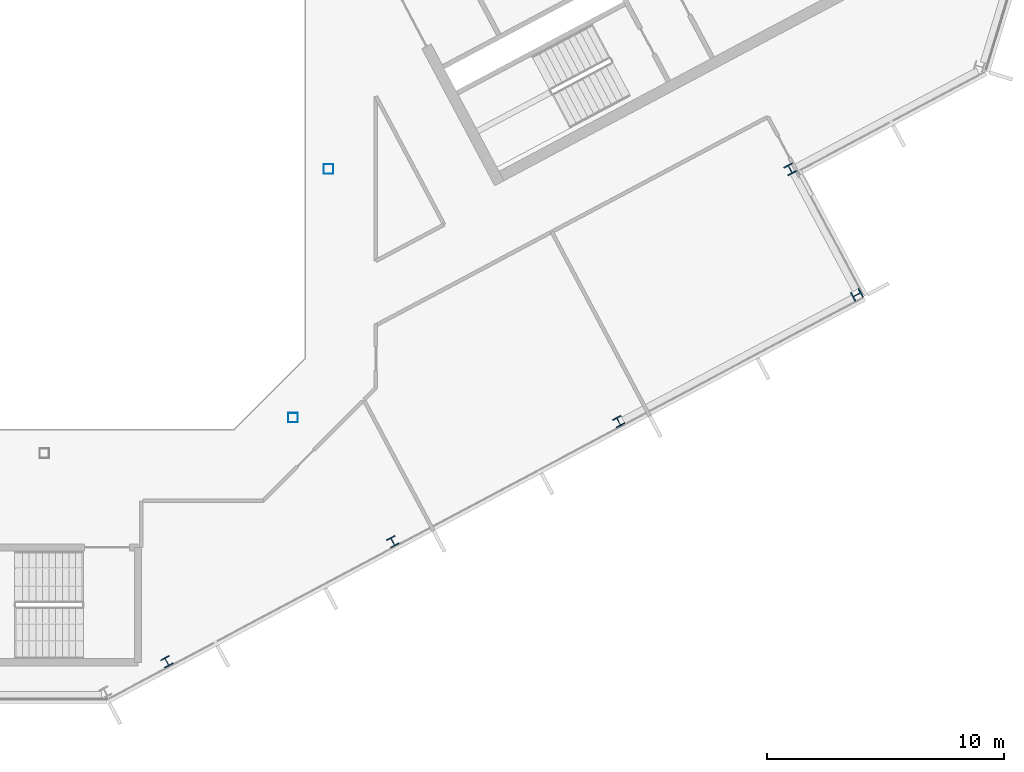
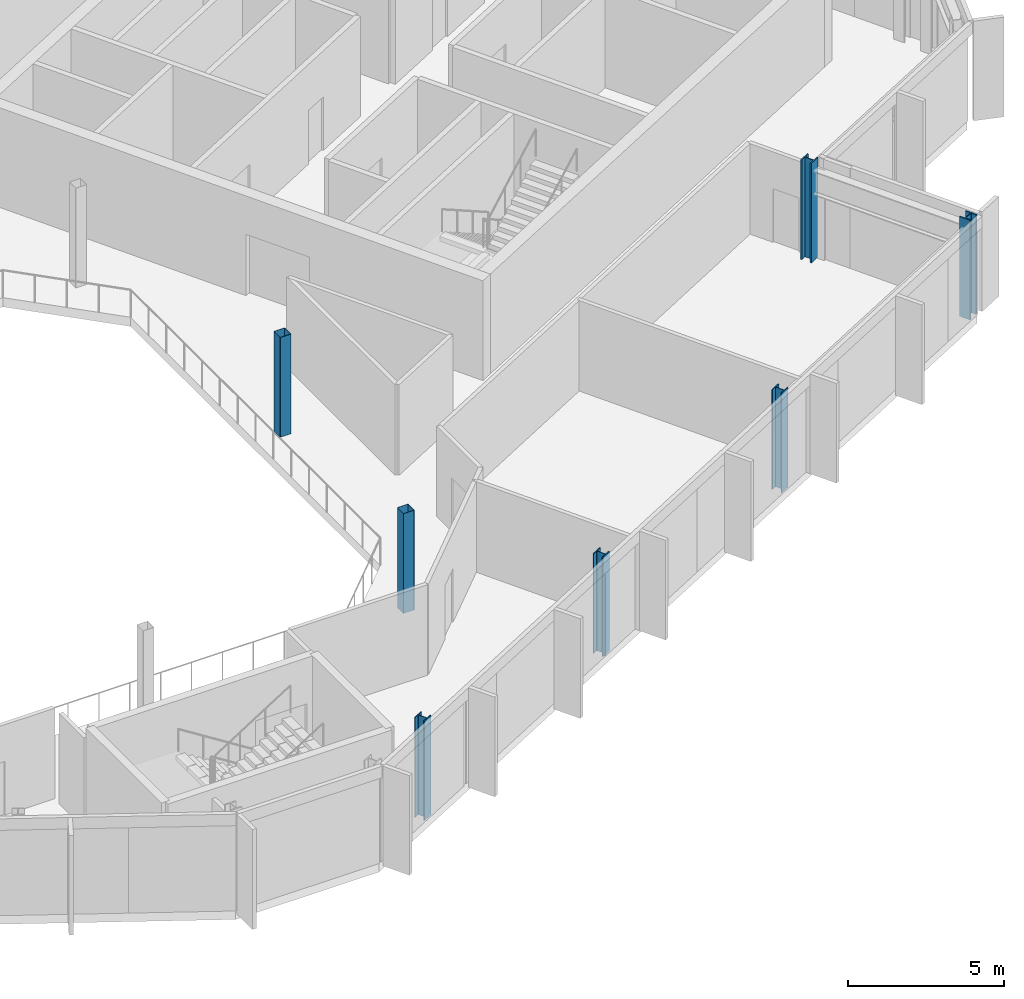
# One storey, part 5 of 26: 7 columns.
"""IFC4 building model written with IfcOpenShell, lengths in metres."""

import ifcopenshell
import ifcopenshell.guid

model = None  # the IFC model being written
_history = None  # IfcOwnerHistory: only IFC2X3 demands one
_inside = {}  # id of a spatial element -> (the spatial element, [elements in it])
_under = {}  # id of a project, library or spatial element -> (it, [spatial elements below it])
_declared = {}  # id of a project -> (the project, [libraries it declares])
_typed = {}  # id of a type object -> (the type object, [elements of that type])
_made_of = {}  # id of a material, layer set ... -> (it, [elements and type objects made of it])


def new_model(schema):
    """Start an empty IFC model of exactly this schema.

    Asked for "IFC4X3", IfcOpenShell would pick the latest addendum, in which some entities
    have other attributes; the version numbers below select the first issue.
    IFC2X3 requires an IfcOwnerHistory on every rooted entity: one is made here for all.
    """
    global model, _history
    if schema == "IFC4X3":
        model = ifcopenshell.file(schema_version=(4, 3, 0, 0))
    else:
        model = ifcopenshell.file(schema=schema)
    _inside.clear()
    _under.clear()
    _declared.clear()
    _typed.clear()
    _made_of.clear()
    _history = None
    if model.schema == "IFC2X3":
        org = make("IfcOrganization", Name="unknown")
        user = make(
            "IfcPersonAndOrganization",
            ThePerson=make("IfcPerson", FamilyName="unknown"),
            TheOrganization=org,
        )
        app = make(
            "IfcApplication",
            ApplicationDeveloper=org,
            Version="unknown",
            ApplicationFullName="unknown",
            ApplicationIdentifier="unknown",
        )
        _history = make(
            "IfcOwnerHistory",
            OwningUser=user,
            OwningApplication=app,
            ChangeAction="ADDED",
            CreationDate=0,
        )
    return model


def make(cls, **values):
    """One entity of the class cls with the attributes given. An attribute that is None is left unset."""
    return model.create_entity(
        cls, **{name: value for name, value in values.items() if value is not None}
    )


def rooted(cls, **values):
    """An entity with a GlobalId (a new one), such as an element, a storey or a relation."""
    return make(cls, GlobalId=ifcopenshell.guid.new(), OwnerHistory=_history, **values)


def si_unit(unit_type, name, prefix=None):
    """IfcSIUnit, for example si_unit("LENGTHUNIT", "METRE", prefix="MILLI")."""
    return make("IfcSIUnit", UnitType=unit_type, Prefix=prefix, Name=name)


def assignment(units):
    """IfcUnitAssignment: the units of a project."""
    return None if units is None else make("IfcUnitAssignment", Units=units)


def point(xyz):
    """IfcCartesianPoint."""
    return None if xyz is None else make("IfcCartesianPoint", Coordinates=xyz)


def direction(xyz):
    """IfcDirection."""
    return None if xyz is None else make("IfcDirection", DirectionRatios=xyz)


def frame(location, z_axis=None, x_axis=None):
    """IfcAxis2Placement3D, a coordinate frame: its origin and axes. An axis left out is left unset."""
    return make(
        "IfcAxis2Placement3D",
        Location=point(location),
        Axis=direction(z_axis),
        RefDirection=direction(x_axis),
    )


def frame_2d(location, x_axis=None):
    """IfcAxis2Placement2D, a coordinate frame in the plane: its origin and x axis."""
    return make(
        "IfcAxis2Placement2D", Location=point(location), RefDirection=direction(x_axis)
    )


def origin():
    """The frame at (0, 0, 0) with its axes left unset."""
    return frame((0.0, 0.0, 0.0))


def origin_2d():
    """The frame at (0, 0) in the plane with its x axis left unset."""
    return frame_2d((0.0, 0.0))


def place(relative_to, where):
    """IfcLocalPlacement: puts the frame where relative to a parent placement (None: the world)."""
    return make(
        "IfcLocalPlacement", PlacementRelTo=relative_to, RelativePlacement=where
    )


def context(
    kind, dimensions, precision=None, world=None, true_north=None, identifier=None
):
    """IfcGeometricRepresentationContext, for example the 3D "Model" context."""
    return make(
        "IfcGeometricRepresentationContext",
        ContextIdentifier=identifier,
        ContextType=kind,
        CoordinateSpaceDimension=dimensions,
        Precision=precision,
        WorldCoordinateSystem=world,
        TrueNorth=true_north,
    )


def subcontext(parent, identifier, kind, view, scale=None):
    """IfcGeometricRepresentationSubContext, for example "Body" below "Model"."""
    return make(
        "IfcGeometricRepresentationSubContext",
        ContextIdentifier=identifier,
        ContextType=kind,
        ParentContext=parent,
        TargetScale=scale,
        TargetView=view,
    )


def project(units=None, contexts=None):
    """IfcProject with its units and contexts."""
    return rooted(
        "IfcProject",
        Name="project",
        RepresentationContexts=contexts,
        UnitsInContext=assignment(units),
    )


def spatial(cls, under=None, at=None, **own):
    """A site, building, storey or space (cls), placed at a placement, below another one or the project."""
    s = rooted(cls, ObjectPlacement=at, **own)
    if under is not None:
        _under.setdefault(under.id(), (under, []))[1].append(s)
    return s


def profile(cls, at=None, kind="AREA", **sizes):
    """A parametric profile (cls). Its sizes go by their IFC names, for example OverallWidth=200.0."""
    return make(cls, ProfileType=kind, Position=at, **sizes)


def hollow_rectangle(**sizes):
    """IfcRectangleHollowProfileDef."""
    return profile("IfcRectangleHollowProfileDef", **sizes)


def i_section(**sizes):
    """IfcIShapeProfileDef."""
    return profile("IfcIShapeProfileDef", **sizes)


def extrude(swept, where, along, depth):
    """IfcExtrudedAreaSolid: the profile swept, set in the frame where, extruded along a direction by depth."""
    return make(
        "IfcExtrudedAreaSolid",
        SweptArea=swept,
        Position=where,
        ExtrudedDirection=direction(along),
        Depth=depth,
    )


def shape(context_of_items, identifier, shape_type, items):
    """IfcShapeRepresentation: the items that make up one representation, for example the "Body"."""
    return make(
        "IfcShapeRepresentation",
        ContextOfItems=context_of_items,
        RepresentationIdentifier=identifier,
        RepresentationType=shape_type,
        Items=items,
    )


def material(Name=None, Category=None):
    """IfcMaterial."""
    return make("IfcMaterial", Name=Name, Category=Category)


def material_profile(
    of_material, cross_section, Name=None, Category=None, Priority=None
):
    """IfcMaterialProfile: a cross section and its material."""
    return make(
        "IfcMaterialProfile",
        Name=Name,
        Material=of_material,
        Profile=cross_section,
        Priority=Priority,
        Category=Category,
    )


def profile_set(profiles, Name=None, composite=None):
    """IfcMaterialProfileSet."""
    return make(
        "IfcMaterialProfileSet",
        Name=Name,
        MaterialProfiles=profiles,
        CompositeProfile=composite,
    )


def made_of(thing, what):
    """Note that an element or type object is made of a material, layer set ...; save() writes the relation."""
    if what is not None:
        _made_of.setdefault(what.id(), (what, []))[1].append(thing)
    return thing


def type_object(cls, material=None, **own):
    """A type object (cls), such as IfcWallType, which elements share."""
    return made_of(rooted(cls, **own), material)


def element(
    cls,
    number,
    at=None,
    inside=None,
    cuts=None,
    type_object=None,
    material=None,
    context=None,
    identifier="Body",
    shape_type=None,
    held_by="IfcProductDefinitionShape",
    body=None,
    shapes=None,
    **own,
):
    """One element of the class cls, such as IfcWall. Its Tag is "e" and its number.

    at: its placement. inside: the storey or other place that contains it. cuts: it is an
    opening in that element (IfcRelVoidsElement). A single representation is given by context,
    identifier, shape_type and body (its items); several are given by shapes. held_by: the class
    of the entity that holds the representations. save() writes the other relations.
    """
    e = rooted(cls, Tag="e%d" % number, ObjectPlacement=at, **own)
    if body is not None:
        shapes = [shape(context, identifier, shape_type, body)]
    if shapes is not None:
        e.Representation = make(held_by, Representations=shapes)
    if inside is not None:
        _inside.setdefault(inside.id(), (inside, []))[1].append(e)
    if cuts is not None:
        rooted(
            "IfcRelVoidsElement", RelatingBuildingElement=cuts, RelatedOpeningElement=e
        )
    if type_object is not None:
        _typed.setdefault(type_object.id(), (type_object, []))[1].append(e)
    return made_of(e, material)


def aggregate(whole, parts):
    """IfcRelAggregates: a whole, such as a stair, and the parts it consists of."""
    return rooted("IfcRelAggregates", RelatingObject=whole, RelatedObjects=parts)


def save(model, path):
    """Write the relations noted so far, then the file.

    IfcRelAggregates (storeys below a building ...), IfcRelContainedInSpatialStructure (elements
    in a storey), IfcRelDefinesByType, IfcRelAssociatesMaterial and IfcRelDeclares: one each for
    every whole, place, type object, material and project.
    """
    for whole, parts in _under.values():
        aggregate(whole, parts)
    for where, things in _inside.values():
        rooted(
            "IfcRelContainedInSpatialStructure",
            RelatedElements=things,
            RelatingStructure=where,
        )
    for kind, things in _typed.values():
        rooted("IfcRelDefinesByType", RelatedObjects=things, RelatingType=kind)
    for what, things in _made_of.values():
        rooted("IfcRelAssociatesMaterial", RelatedObjects=things, RelatingMaterial=what)
    for by, libraries in _declared.values():
        rooted("IfcRelDeclares", RelatingContext=by, RelatedDefinitions=libraries)
    model.write(path)


model = new_model("IFC4")

# Units and contexts
model_context = context("Model", 3, precision=1e-05, world=origin(), true_north=direction((0.0, 1.0)))
body_context = subcontext(model_context, "Body", "Model", "MODEL_VIEW")
ifc_project = project(units=[si_unit("LENGTHUNIT", "METRE"), si_unit("AREAUNIT", "SQUARE_METRE"), si_unit("VOLUMEUNIT", "CUBIC_METRE"), si_unit("PLANEANGLEUNIT", "RADIAN"), si_unit("MASSUNIT", "GRAM", prefix="KILO")], contexts=[model_context])

# Site, building, storey
site_placement = place(None, origin())
site = spatial("IfcSite", under=ifc_project, at=site_placement, CompositionType="ELEMENT")
building_placement = place(site_placement, origin())
building = spatial("IfcBuilding", under=site, at=building_placement, Name="Cormorant Relay Tower", CompositionType="ELEMENT")
storey_placement = place(building_placement, frame((0.0, 0.0, 261.89990234375)))
storey = spatial("IfcBuildingStorey", under=building, at=storey_placement, Name="L58", CompositionType="ELEMENT", Elevation=261.89990234375)

# Columns
ifc_material_1 = material(Name="Steel ASTM A500 Grade C (Fy 345 MPa)", Category="steel")
ifc_material_profile_1 = material_profile(ifc_material_1, hollow_rectangle(XDim=0.406494140625, YDim=0.406494140625, WallThickness=0.0087890625, InnerFilletRadius=0.00439453125, OuterFilletRadius=0.01318359375, at=origin_2d()), Name="HSS406x406x9")
ifc_profile_set_1 = profile_set([ifc_material_profile_1], Name="Steel ASTM A500 Grade C (Fy 345 MPa)")
column_type_1 = type_object("IfcColumnType", Name="Column HSS406x406x9", PredefinedType="COLUMN", material=ifc_profile_set_1)
for number, where, z_axis, x_axis, name in (
    (1, (10.5, -10.5, 0.0), (0.0, 0.0, 1.0), (1.0, 0.0, 0.0), "Column L58-010"),
    (2, (12.0, 0.0, 0.0), (0.0, 0.0, 1.0), (1.0, 0.0, 0.0), "Column L58-016"),
):
    element("IfcColumn", number, at=place(storey_placement, frame(where, z_axis=z_axis, x_axis=x_axis)), inside=storey, type_object=column_type_1, Name=name, PredefinedType="COLUMN", context=body_context, shape_type="SweptSolid", body=[
        extrude(hollow_rectangle(XDim=0.406494140625, YDim=0.406494140625, WallThickness=0.0087890625, InnerFilletRadius=0.00439453125, OuterFilletRadius=0.01318359375, at=origin_2d()), origin(), (0.0, 0.0, 1.0), 3.900146484375),
    ])
ifc_material_2 = material(Name="Steel ASTM A992 (Fy 345 MPa)", Category="steel")
ifc_material_profile_2 = material_profile(ifc_material_2, i_section(OverallWidth=0.398681640625, OverallDepth=0.385986328125, WebThickness=0.02099609375, FlangeThickness=0.033203125, FilletRadius=0.01513671875, at=origin_2d()), Name="W360x262")
ifc_profile_set_2 = profile_set([ifc_material_profile_2], Name="Steel ASTM A992 (Fy 345 MPa)")
column_type_2 = type_object("IfcColumnType", Name="Column W360x262", PredefinedType="COLUMN", material=ifc_profile_set_2)
for number, where, z_axis, x_axis, name in (
    (3, (5.174072265625, -20.806884765625, 0.0), (0.0, 0.0, 1.0), (0.882947592859, 0.469471562786, 0.0), "Column L58-003"),
    (4, (14.7099609375, -15.736083984375, 0.0), (0.0, 0.0, 1.0), (0.882947592859, 0.469471562786, 0.0), "Column L58-005"),
    (5, (24.2451171875, -10.666015625, 0.0), (0.0, 0.0, 1.0), (0.882947592859, 0.469471562786, 0.0), "Column L58-008"),
):
    element("IfcColumn", number, at=place(storey_placement, frame(where, z_axis=z_axis, x_axis=x_axis)), inside=storey, type_object=column_type_2, Name=name, PredefinedType="COLUMN", context=body_context, shape_type="SweptSolid", body=[
        extrude(i_section(OverallWidth=0.398681640625, OverallDepth=0.385986328125, WebThickness=0.02099609375, FlangeThickness=0.033203125, FilletRadius=0.01513671875, at=origin_2d()), origin(), (0.0, 0.0, 1.0), 3.900146484375),
    ])
ifc_material_3 = material(Name="Steel ASTM A992 (Fy 345 MPa)", Category="steel")
ifc_material_profile_3 = material_profile(ifc_material_3, i_section(OverallWidth=0.40380859375, OverallDepth=0.406494140625, WebThickness=0.027099609375, FlangeThickness=0.043701171875, FilletRadius=0.01513671875, at=origin_2d()), Name="W360x347")
ifc_profile_set_3 = profile_set([ifc_material_profile_3], Name="Steel ASTM A992 (Fy 345 MPa)")
column_type_3 = type_object("IfcColumnType", Name="Column W360x347", PredefinedType="COLUMN", material=ifc_profile_set_3)
for number, where, z_axis, x_axis, name in (
    (6, (34.303955078125, -5.31201171875, 0.0), (0.0, 0.0, 1.0), (-0.469471562786, 0.882947592859, 0.0), "Column L58-012"),
    (7, (31.487060546875, -0.013916015625, 0.0), (0.0, 0.0, 1.0), (0.882947592859, 0.469471562786, 0.0), "Column L58-014"),
):
    element("IfcColumn", number, at=place(storey_placement, frame(where, z_axis=z_axis, x_axis=x_axis)), inside=storey, type_object=column_type_3, Name=name, PredefinedType="COLUMN", context=body_context, shape_type="SweptSolid", body=[
        extrude(i_section(OverallWidth=0.40380859375, OverallDepth=0.406494140625, WebThickness=0.027099609375, FlangeThickness=0.043701171875, FilletRadius=0.01513671875, at=origin_2d()), origin(), (0.0, 0.0, 1.0), 3.900146484375),
    ])

save(model, "model.ifc")
